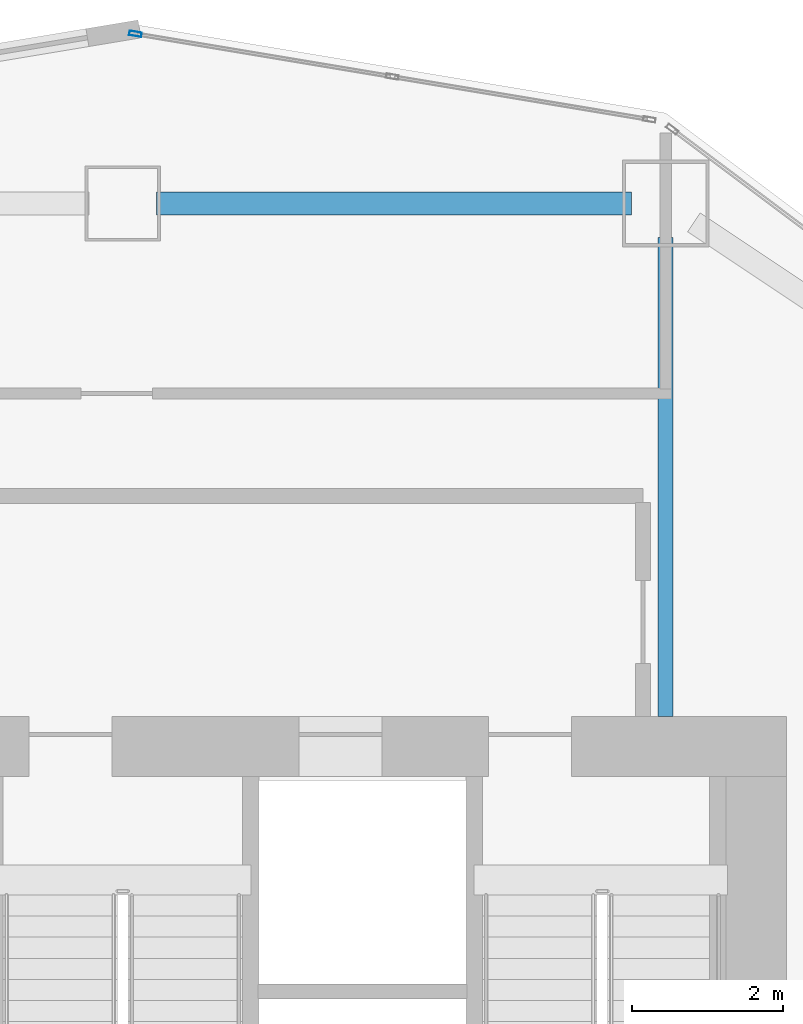
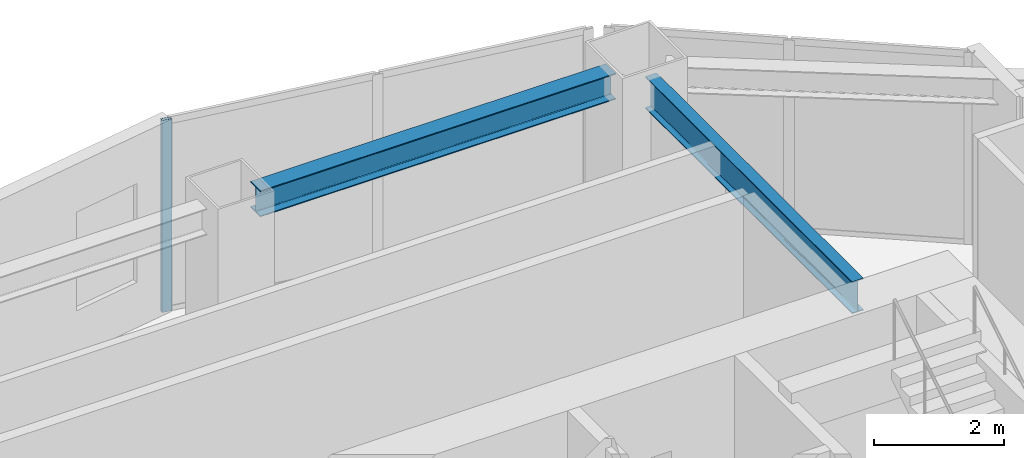
# One storey, part 2 of 17: 2 beams, 1 member, 1 element without a shape of its own.
"""IFC4 building model written with IfcOpenShell, lengths in metres."""

from ifc_helpers import new_model, si_unit, direction, frame, origin, origin_2d, place, context, subcontext, project, spatial, hollow_rectangle, i_section, extrude, material, layer, layer_set, material_profile, profile_set, type_object, element, aggregate, save


model = new_model("IFC4")

# Units and contexts
model_context = context("Model", 3, precision=1e-05, world=origin(), true_north=direction((0.0, 1.0)))
body_context = subcontext(model_context, "Body", "Model", "MODEL_VIEW")
ifc_project = project(units=[si_unit("LENGTHUNIT", "METRE"), si_unit("AREAUNIT", "SQUARE_METRE"), si_unit("VOLUMEUNIT", "CUBIC_METRE"), si_unit("PLANEANGLEUNIT", "RADIAN"), si_unit("MASSUNIT", "GRAM", prefix="KILO")], contexts=[model_context])

# Site, building, storey
site_placement = place(None, origin())
site = spatial("IfcSite", under=ifc_project, at=site_placement, CompositionType="ELEMENT")
building_placement = place(site_placement, origin())
building = spatial("IfcBuilding", under=site, at=building_placement, Name="Haolan Belvedere Tower", CompositionType="ELEMENT")
storey_placement = place(building_placement, frame((0.0, 0.0, 59.0)))
storey = spatial("IfcBuildingStorey", under=building, at=storey_placement, Name="L14", CompositionType="ELEMENT", Elevation=59.0)

# Beams
ifc_material_1 = material(Name="Steel Q355B", Category="steel")
ifc_material_profile_1 = material_profile(ifc_material_1, i_section(OverallWidth=0.300048828125, OverallDepth=0.488037109375, WebThickness=0.010986328125, FlangeThickness=0.01806640625, FilletRadius=0.02587890625, at=origin_2d()), Name="Steel Q355B")
ifc_profile_set_1 = profile_set([ifc_material_profile_1], Name="Steel Q355B")
beam_type_1 = type_object("IfcBeamType", Name="BM-HM488x300x11x18", PredefinedType="SPANDREL", material=ifc_profile_set_1)
beam_1_placement = place(storey_placement, frame((38.85009765625, 50.39990234375, 3.35595703125), z_axis=(1.0, 0.0, 0.0), x_axis=(0.0, 1.0, 0.0)))
element("IfcBeam", 1, at=beam_1_placement, inside=storey, type_object=beam_type_1, Name="L14 spandrel girder TC-T3-NM-MC-T3-N2", PredefinedType="SPANDREL", context=body_context, shape_type="SweptSolid", body=[
    extrude(i_section(OverallWidth=0.300048828125, OverallDepth=0.488037109375, WebThickness=0.010986328125, FlangeThickness=0.01806640625, FilletRadius=0.02587890625, at=origin_2d()), origin(), (0.0, 0.0, 1.0), 6.2998046875),
])
ifc_material_profile_2 = material_profile(ifc_material_1, i_section(OverallWidth=0.199951171875, OverallDepth=0.60009765625, WebThickness=0.010986328125, FlangeThickness=0.01708984375, FilletRadius=0.02197265625, at=origin_2d()), Name="Steel Q355B")
ifc_profile_set_2 = profile_set([ifc_material_profile_2], Name="Steel Q355B")
beam_type_2 = type_object("IfcBeamType", Name="BM-HN600x200x11x17", PredefinedType="BEAM", material=ifc_profile_set_2)
beam_2_placement = place(storey_placement, frame((45.60009765625, 49.949951171875, 3.300048828125), z_axis=(0.0, -1.0, 0.0), x_axis=(1.0, 0.0, 0.0)))
element("IfcBeam", 2, at=beam_2_placement, inside=storey, type_object=beam_type_2, Name="L14 core tie beam from MC-T3-N2", PredefinedType="BEAM", context=body_context, shape_type="SweptSolid", body=[
    extrude(i_section(OverallWidth=0.199951171875, OverallDepth=0.60009765625, WebThickness=0.010986328125, FlangeThickness=0.01708984375, FilletRadius=0.02197265625, at=origin_2d()), origin(), (0.0, 0.0, 1.0), 6.349853515625),
])

# Curtain wall, member
ifc_material_2 = material(Name="Anodised champagne-silver aluminium 6063-T6 and Low-E glass", Category="aluminium")
ifc_layer = layer(ifc_material_2, 0.1650390625, Name="Anodised champagne-silver aluminium 6063-T6 and Low-E glass")
ifc_layer_set = layer_set([ifc_layer], Name="Anodised champagne-silver aluminium 6063-T6 and Low-E glass")
curtain_wall_type = type_object("IfcCurtainWallType", Name="CW-SYS-02", PredefinedType="NOTDEFINED", material=ifc_layer_set)
curtain_wall_placement = place(storey_placement, origin())
curtain_wall = element("IfcCurtainWall", 3, at=curtain_wall_placement, inside=storey, type_object=curtain_wall_type, Name="L14 CW-SYS-02 ribbon curtain wall 42.1", PredefinedType="NOTDEFINED")
ifc_material_3 = material(Name="Anodised aluminium 6063-T6", Category="aluminium")
ifc_material_profile_3 = material_profile(ifc_material_3, hollow_rectangle(XDim=0.06005859375, YDim=0.1650390625, WallThickness=0.00390625, at=origin_2d()), Name="Anodised aluminium 6063-T6")
ifc_profile_set_3 = profile_set([ifc_material_profile_3], Name="Anodised aluminium 6063-T6")
member_type = type_object("IfcMemberType", Name="CW-SYS-02-MUL", PredefinedType="MULLION", material=ifc_profile_set_3)
member_placement = place(storey_placement, frame((38.567626953125, 52.650390625, 0.0), z_axis=(0.0, 0.0, 1.0), x_axis=(-0.16440364043, -0.9863931483, 0.0)))
member = element("IfcMember", 4, at=member_placement, type_object=member_type, Name="CW-02 mullion 3", PredefinedType="MULLION", context=body_context, shape_type="SweptSolid", body=[
    extrude(hollow_rectangle(XDim=0.06005859375, YDim=0.1650390625, WallThickness=0.00390625, at=origin_2d()), origin(), (0.0, 0.0, 1.0), 3.60009765625),
])
aggregate(curtain_wall, [member])

save(model, "model.ifc")
